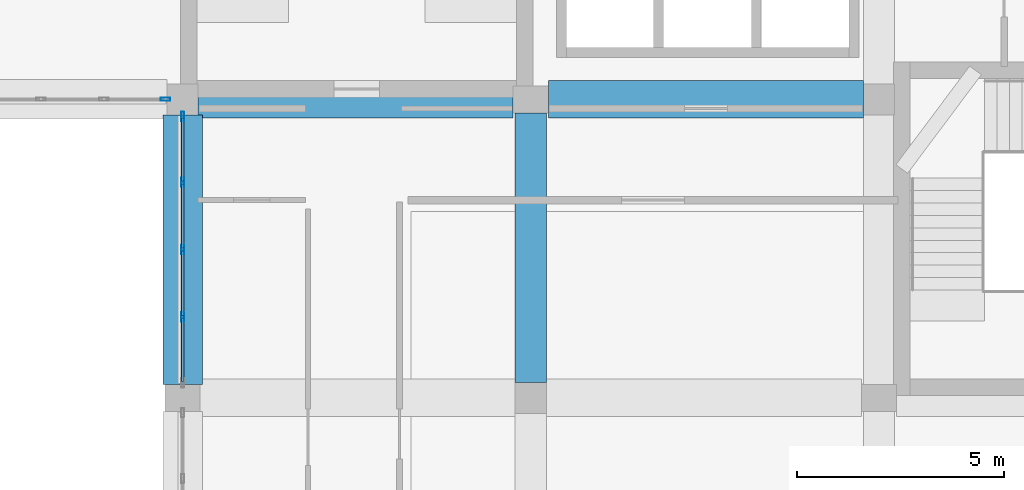
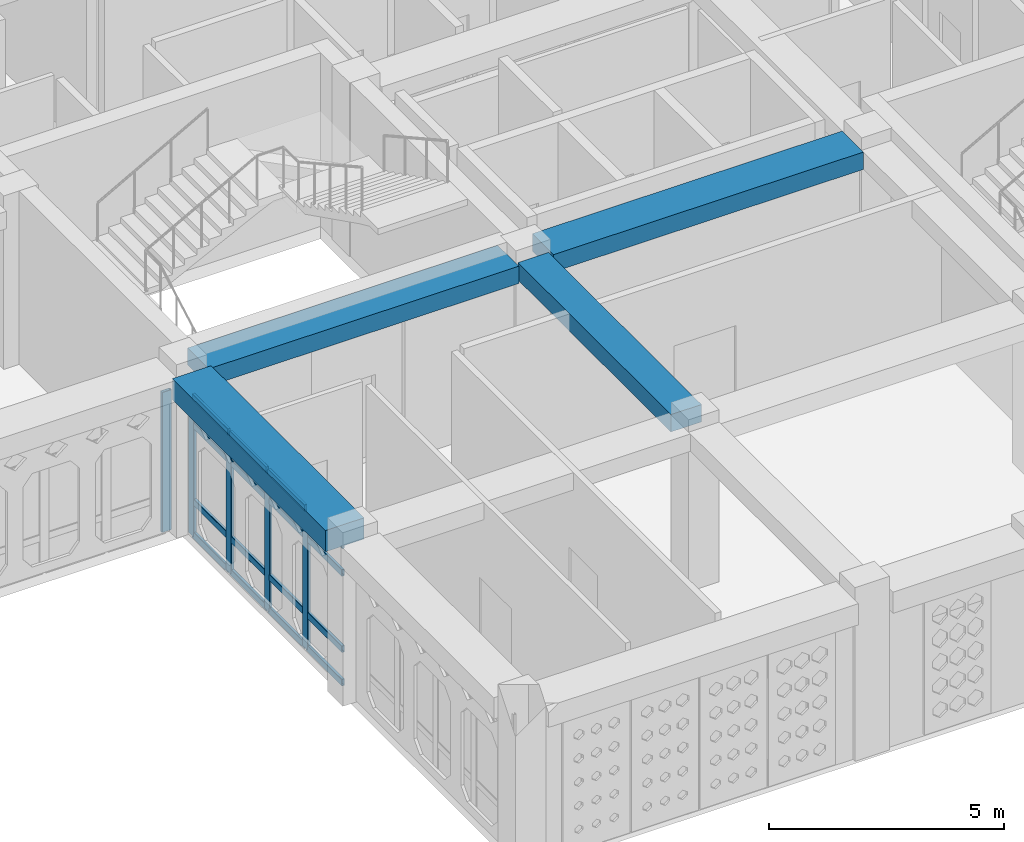
# One storey, part 5 of 121: 21 members, 4 beams, 2 elements without a shape of their own.
"""IFC4 building model written with IfcOpenShell, lengths in metres."""

from ifc_helpers import new_model, si_unit, derived_unit, direction, frame, origin, origin_2d, place, context, subcontext, project, spatial, rectangle, hollow_rectangle, extrude, material, material_profile, profile_set, type_object, element, aggregate, save


model = new_model("IFC4")

# Units and contexts
model_context = context("Model", 3, precision=1e-05, world=origin(), true_north=direction((0.0, 1.0)))
body_context = subcontext(model_context, "Body", "Model", "MODEL_VIEW")
ifc_project = project(units=[si_unit("LENGTHUNIT", "METRE"), si_unit("AREAUNIT", "SQUARE_METRE"), si_unit("VOLUMEUNIT", "CUBIC_METRE"), si_unit("PLANEANGLEUNIT", "RADIAN"), si_unit("MASSUNIT", "GRAM", prefix="KILO"), derived_unit("THERMALTRANSMITTANCEUNIT", [(si_unit("POWERUNIT", "WATT"), 1), (si_unit("LENGTHUNIT", "METRE"), -2), (si_unit("THERMODYNAMICTEMPERATUREUNIT", "KELVIN"), -1)])], contexts=[model_context])

# Site, building, storey
site_placement = place(None, origin())
site = spatial("IfcSite", under=ifc_project, at=site_placement, CompositionType="ELEMENT")
building_placement = place(site_placement, origin())
building = spatial("IfcBuilding", under=site, at=building_placement, Name="Veybourne Emporium", CompositionType="ELEMENT")
storey_placement = place(building_placement, frame((0.0, 0.0, 5.39990234375)))
storey = spatial("IfcBuildingStorey", under=building, at=storey_placement, Name="L01", CompositionType="ELEMENT", Elevation=5.39990234375)

# Curtain wall, members
ifc_material_1 = material(Name="Patinated Architectural Bronze", Category="bronze")
curtain_wall_type_1 = type_object("IfcCurtainWallType", Name="CWSystem_CWS-01", PredefinedType="NOTDEFINED", material=ifc_material_1)
curtain_wall_1_placement = place(storey_placement, origin())
curtain_wall_1 = element("IfcCurtainWall", 1, at=curtain_wall_1_placement, inside=storey, type_object=curtain_wall_type_1, Name="L01 bronze glazed curtain wall CWS-01 (016)", PredefinedType="NOTDEFINED")
ifc_material_profile_1 = material_profile(ifc_material_1, hollow_rectangle(XDim=0.072021484375, YDim=0.22509765625, WallThickness=0.0048828125, InnerFilletRadius=0.007568359375, OuterFilletRadius=0.012451171875, at=origin_2d()), Name="CWM 72x225x5")
ifc_profile_set_1 = profile_set([ifc_material_profile_1], Name="Patinated Architectural Bronze")
member_type_1 = type_object("IfcMemberType", Name="CWMullion_CW-M1", PredefinedType="MULLION", material=ifc_profile_set_1)
member_1_placement = place(storey_placement, frame((16.800048828125, 9.14990234375, 0.0), z_axis=(0.0, 0.0, 1.0), x_axis=(-1.0, 0.0, 0.0)))
member_1 = element("IfcMember", 2, at=member_1_placement, type_object=member_type_1, Name="CWS-01 mullion 2", PredefinedType="MULLION", context=body_context, shape_type="SweptSolid", body=[
    extrude(hollow_rectangle(XDim=0.072021484375, YDim=0.22509765625, WallThickness=0.0048828125, InnerFilletRadius=0.007568359375, OuterFilletRadius=0.012451171875, at=origin_2d()), origin(), (0.0, 0.0, 1.0), 3.630126953125),
])
member_2_placement = place(storey_placement, frame((16.800048828125, 10.77490234375, 0.0), z_axis=(0.0, 0.0, 1.0), x_axis=(-1.0, 0.0, 0.0)))
member_2 = element("IfcMember", 3, at=member_2_placement, type_object=member_type_1, Name="CWS-01 mullion 3", PredefinedType="MULLION", context=body_context, shape_type="SweptSolid", body=[
    extrude(hollow_rectangle(XDim=0.072021484375, YDim=0.22509765625, WallThickness=0.0048828125, InnerFilletRadius=0.007568359375, OuterFilletRadius=0.012451171875, at=origin_2d()), origin(), (0.0, 0.0, 1.0), 3.630126953125),
])
member_3_placement = place(storey_placement, frame((16.800048828125, 12.39990234375, 0.0), z_axis=(0.0, 0.0, 1.0), x_axis=(-1.0, 0.0, 0.0)))
member_3 = element("IfcMember", 4, at=member_3_placement, type_object=member_type_1, Name="CWS-01 mullion 4", PredefinedType="MULLION", context=body_context, shape_type="SweptSolid", body=[
    extrude(hollow_rectangle(XDim=0.072021484375, YDim=0.22509765625, WallThickness=0.0048828125, InnerFilletRadius=0.007568359375, OuterFilletRadius=0.012451171875, at=origin_2d()), origin(), (0.0, 0.0, 1.0), 3.630126953125),
])
member_4_placement = place(storey_placement, frame((16.800048828125, 13.989013671875, 0.0), z_axis=(0.0, 0.0, 1.0), x_axis=(-1.0, 0.0, 0.0)))
member_4 = element("IfcMember", 5, at=member_4_placement, type_object=member_type_1, Name="CWS-01 mullion 5", PredefinedType="MULLION", context=body_context, shape_type="SweptSolid", body=[
    extrude(hollow_rectangle(XDim=0.072021484375, YDim=0.22509765625, WallThickness=0.0048828125, InnerFilletRadius=0.007568359375, OuterFilletRadius=0.012451171875, at=origin_2d()), origin(), (0.0, 0.0, 1.0), 3.630126953125),
])

# Curtain wall, member
curtain_wall_type_2 = type_object("IfcCurtainWallType", Name="CWSystem_CWS-27", PredefinedType="NOTDEFINED", material=ifc_material_1)
curtain_wall_2_placement = place(storey_placement, origin())
curtain_wall_2 = element("IfcCurtainWall", 6, at=curtain_wall_2_placement, inside=storey, type_object=curtain_wall_type_2, Name="L01 bronze glazed curtain wall CWS-27 (012)", PredefinedType="NOTDEFINED")
ifc_material_profile_2 = material_profile(ifc_material_1, hollow_rectangle(XDim=0.077880859375, YDim=0.235107421875, WallThickness=0.0048828125, InnerFilletRadius=0.007568359375, OuterFilletRadius=0.012451171875, at=origin_2d()), Name="CWM 78x235x5")
ifc_profile_set_2 = profile_set([ifc_material_profile_2], Name="Patinated Architectural Bronze")
member_type_2 = type_object("IfcMemberType", Name="CWMullion_CW-M3", PredefinedType="MULLION", material=ifc_profile_set_2)
member_5_placement = place(storey_placement, frame((16.385986328125, 14.39990234375, 0.0), z_axis=(0.0, 0.0, 1.0), x_axis=(0.0, -1.0, 0.0)))
member_5 = element("IfcMember", 7, at=member_5_placement, type_object=member_type_2, Name="CWS-27 mullion 1", PredefinedType="MULLION", context=body_context, shape_type="SweptSolid", body=[
    extrude(hollow_rectangle(XDim=0.077880859375, YDim=0.235107421875, WallThickness=0.0048828125, InnerFilletRadius=0.007568359375, OuterFilletRadius=0.012451171875, at=origin_2d()), origin(), (0.0, 0.0, 1.0), 3.630126953125),
])
aggregate(curtain_wall_2, [member_5])

# Member
ifc_material_profile_3 = material_profile(ifc_material_1, hollow_rectangle(XDim=0.072021484375, YDim=0.175048828125, WallThickness=0.0048828125, InnerFilletRadius=0.007568359375, OuterFilletRadius=0.012451171875, at=origin_2d()), Name="CWT 72x175x5")
ifc_profile_set_3 = profile_set([ifc_material_profile_3], Name="Patinated Architectural Bronze")
member_type_3 = type_object("IfcMemberType", Name="CWTransom_CW-T1", PredefinedType="NOTDEFINED", material=ifc_profile_set_3)
member_6_placement = place(storey_placement, frame((16.800048828125, 7.596923828125, 0.0361328125), z_axis=(0.0, 1.0, 0.0), x_axis=(-1.0, 0.0, 0.0)))
member_6 = element("IfcMember", 8, at=member_6_placement, type_object=member_type_3, Name="CWS-01 transom 1.1", ObjectType="TRANSOM", PredefinedType="USERDEFINED", context=body_context, shape_type="SweptSolid", body=[
    extrude(hollow_rectangle(XDim=0.072021484375, YDim=0.175048828125, WallThickness=0.0048828125, InnerFilletRadius=0.007568359375, OuterFilletRadius=0.012451171875, at=origin_2d()), origin(), (0.0, 0.0, 1.0), 1.51708984375),
])

member_7_placement = place(storey_placement, frame((16.800048828125, 7.596923828125, 0.900146484375), z_axis=(0.0, 1.0, 0.0), x_axis=(-1.0, 0.0, 0.0)))
member_7 = element("IfcMember", 9, at=member_7_placement, type_object=member_type_3, Name="CWS-01 transom 1.2", ObjectType="TRANSOM", PredefinedType="USERDEFINED", context=body_context, shape_type="SweptSolid", body=[
    extrude(hollow_rectangle(XDim=0.072021484375, YDim=0.175048828125, WallThickness=0.0048828125, InnerFilletRadius=0.007568359375, OuterFilletRadius=0.012451171875, at=origin_2d()), origin(), (0.0, 0.0, 1.0), 1.51708984375),
])

member_8_placement = place(storey_placement, frame((16.800048828125, 7.596923828125, 2.880126953125), z_axis=(0.0, 1.0, 0.0), x_axis=(-1.0, 0.0, 0.0)))
member_8 = element("IfcMember", 10, at=member_8_placement, type_object=member_type_3, Name="CWS-01 transom 1.3", ObjectType="TRANSOM", PredefinedType="USERDEFINED", context=body_context, shape_type="SweptSolid", body=[
    extrude(hollow_rectangle(XDim=0.072021484375, YDim=0.175048828125, WallThickness=0.0048828125, InnerFilletRadius=0.007568359375, OuterFilletRadius=0.012451171875, at=origin_2d()), origin(), (0.0, 0.0, 1.0), 1.51708984375),
])

member_9_placement = place(storey_placement, frame((16.800048828125, 7.596923828125, 3.593994140625), z_axis=(0.0, 1.0, 0.0), x_axis=(-1.0, 0.0, 0.0)))
member_9 = element("IfcMember", 11, at=member_9_placement, type_object=member_type_3, Name="CWS-01 transom 1.4", ObjectType="TRANSOM", PredefinedType="USERDEFINED", context=body_context, shape_type="SweptSolid", body=[
    extrude(hollow_rectangle(XDim=0.072021484375, YDim=0.175048828125, WallThickness=0.0048828125, InnerFilletRadius=0.007568359375, OuterFilletRadius=0.012451171875, at=origin_2d()), origin(), (0.0, 0.0, 1.0), 1.51708984375),
])

member_10_placement = place(storey_placement, frame((16.800048828125, 9.18603515625, 0.0361328125), z_axis=(0.0, 1.0, 0.0), x_axis=(-1.0, 0.0, 0.0)))
member_10 = element("IfcMember", 12, at=member_10_placement, type_object=member_type_3, Name="CWS-01 transom 2.1", ObjectType="TRANSOM", PredefinedType="USERDEFINED", context=body_context, shape_type="SweptSolid", body=[
    extrude(hollow_rectangle(XDim=0.072021484375, YDim=0.175048828125, WallThickness=0.0048828125, InnerFilletRadius=0.007568359375, OuterFilletRadius=0.012451171875, at=origin_2d()), origin(), (0.0, 0.0, 1.0), 1.552978515625),
])

member_11_placement = place(storey_placement, frame((16.800048828125, 9.18603515625, 0.900146484375), z_axis=(0.0, 1.0, 0.0), x_axis=(-1.0, 0.0, 0.0)))
member_11 = element("IfcMember", 13, at=member_11_placement, type_object=member_type_3, Name="CWS-01 transom 2.2", ObjectType="TRANSOM", PredefinedType="USERDEFINED", context=body_context, shape_type="SweptSolid", body=[
    extrude(hollow_rectangle(XDim=0.072021484375, YDim=0.175048828125, WallThickness=0.0048828125, InnerFilletRadius=0.007568359375, OuterFilletRadius=0.012451171875, at=origin_2d()), origin(), (0.0, 0.0, 1.0), 1.552978515625),
])

member_12_placement = place(storey_placement, frame((16.800048828125, 9.18603515625, 2.880126953125), z_axis=(0.0, 1.0, 0.0), x_axis=(-1.0, 0.0, 0.0)))
member_12 = element("IfcMember", 14, at=member_12_placement, type_object=member_type_3, Name="CWS-01 transom 2.3", ObjectType="TRANSOM", PredefinedType="USERDEFINED", context=body_context, shape_type="SweptSolid", body=[
    extrude(hollow_rectangle(XDim=0.072021484375, YDim=0.175048828125, WallThickness=0.0048828125, InnerFilletRadius=0.007568359375, OuterFilletRadius=0.012451171875, at=origin_2d()), origin(), (0.0, 0.0, 1.0), 1.552978515625),
])

member_13_placement = place(storey_placement, frame((16.800048828125, 9.18603515625, 3.593994140625), z_axis=(0.0, 1.0, 0.0), x_axis=(-1.0, 0.0, 0.0)))
member_13 = element("IfcMember", 15, at=member_13_placement, type_object=member_type_3, Name="CWS-01 transom 2.4", ObjectType="TRANSOM", PredefinedType="USERDEFINED", context=body_context, shape_type="SweptSolid", body=[
    extrude(hollow_rectangle(XDim=0.072021484375, YDim=0.175048828125, WallThickness=0.0048828125, InnerFilletRadius=0.007568359375, OuterFilletRadius=0.012451171875, at=origin_2d()), origin(), (0.0, 0.0, 1.0), 1.552978515625),
])

member_14_placement = place(storey_placement, frame((16.800048828125, 10.81103515625, 0.0361328125), z_axis=(0.0, 1.0, 0.0), x_axis=(-1.0, 0.0, 0.0)))
member_14 = element("IfcMember", 16, at=member_14_placement, type_object=member_type_3, Name="CWS-01 transom 3.1", ObjectType="TRANSOM", PredefinedType="USERDEFINED", context=body_context, shape_type="SweptSolid", body=[
    extrude(hollow_rectangle(XDim=0.072021484375, YDim=0.175048828125, WallThickness=0.0048828125, InnerFilletRadius=0.007568359375, OuterFilletRadius=0.012451171875, at=origin_2d()), origin(), (0.0, 0.0, 1.0), 1.552978515625),
])

member_15_placement = place(storey_placement, frame((16.800048828125, 10.81103515625, 0.900146484375), z_axis=(0.0, 1.0, 0.0), x_axis=(-1.0, 0.0, 0.0)))
member_15 = element("IfcMember", 17, at=member_15_placement, type_object=member_type_3, Name="CWS-01 transom 3.2", ObjectType="TRANSOM", PredefinedType="USERDEFINED", context=body_context, shape_type="SweptSolid", body=[
    extrude(hollow_rectangle(XDim=0.072021484375, YDim=0.175048828125, WallThickness=0.0048828125, InnerFilletRadius=0.007568359375, OuterFilletRadius=0.012451171875, at=origin_2d()), origin(), (0.0, 0.0, 1.0), 1.552978515625),
])

member_16_placement = place(storey_placement, frame((16.800048828125, 10.81103515625, 2.880126953125), z_axis=(0.0, 1.0, 0.0), x_axis=(-1.0, 0.0, 0.0)))
member_16 = element("IfcMember", 18, at=member_16_placement, type_object=member_type_3, Name="CWS-01 transom 3.3", ObjectType="TRANSOM", PredefinedType="USERDEFINED", context=body_context, shape_type="SweptSolid", body=[
    extrude(hollow_rectangle(XDim=0.072021484375, YDim=0.175048828125, WallThickness=0.0048828125, InnerFilletRadius=0.007568359375, OuterFilletRadius=0.012451171875, at=origin_2d()), origin(), (0.0, 0.0, 1.0), 1.552978515625),
])

member_17_placement = place(storey_placement, frame((16.800048828125, 10.81103515625, 3.593994140625), z_axis=(0.0, 1.0, 0.0), x_axis=(-1.0, 0.0, 0.0)))
member_17 = element("IfcMember", 19, at=member_17_placement, type_object=member_type_3, Name="CWS-01 transom 3.4", ObjectType="TRANSOM", PredefinedType="USERDEFINED", context=body_context, shape_type="SweptSolid", body=[
    extrude(hollow_rectangle(XDim=0.072021484375, YDim=0.175048828125, WallThickness=0.0048828125, InnerFilletRadius=0.007568359375, OuterFilletRadius=0.012451171875, at=origin_2d()), origin(), (0.0, 0.0, 1.0), 1.552978515625),
])

member_18_placement = place(storey_placement, frame((16.800048828125, 12.43603515625, 0.0361328125), z_axis=(0.0, 1.0, 0.0), x_axis=(-1.0, 0.0, 0.0)))
member_18 = element("IfcMember", 20, at=member_18_placement, type_object=member_type_3, Name="CWS-01 transom 4.1", ObjectType="TRANSOM", PredefinedType="USERDEFINED", context=body_context, shape_type="SweptSolid", body=[
    extrude(hollow_rectangle(XDim=0.072021484375, YDim=0.175048828125, WallThickness=0.0048828125, InnerFilletRadius=0.007568359375, OuterFilletRadius=0.012451171875, at=origin_2d()), origin(), (0.0, 0.0, 1.0), 1.516845703125),
])

member_19_placement = place(storey_placement, frame((16.800048828125, 12.43603515625, 0.900146484375), z_axis=(0.0, 1.0, 0.0), x_axis=(-1.0, 0.0, 0.0)))
member_19 = element("IfcMember", 21, at=member_19_placement, type_object=member_type_3, Name="CWS-01 transom 4.2", ObjectType="TRANSOM", PredefinedType="USERDEFINED", context=body_context, shape_type="SweptSolid", body=[
    extrude(hollow_rectangle(XDim=0.072021484375, YDim=0.175048828125, WallThickness=0.0048828125, InnerFilletRadius=0.007568359375, OuterFilletRadius=0.012451171875, at=origin_2d()), origin(), (0.0, 0.0, 1.0), 1.516845703125),
])

member_20_placement = place(storey_placement, frame((16.800048828125, 12.43603515625, 2.880126953125), z_axis=(0.0, 1.0, 0.0), x_axis=(-1.0, 0.0, 0.0)))
member_20 = element("IfcMember", 22, at=member_20_placement, type_object=member_type_3, Name="CWS-01 transom 4.3", ObjectType="TRANSOM", PredefinedType="USERDEFINED", context=body_context, shape_type="SweptSolid", body=[
    extrude(hollow_rectangle(XDim=0.072021484375, YDim=0.175048828125, WallThickness=0.0048828125, InnerFilletRadius=0.007568359375, OuterFilletRadius=0.012451171875, at=origin_2d()), origin(), (0.0, 0.0, 1.0), 1.516845703125),
])

member_21_placement = place(storey_placement, frame((16.800048828125, 12.43603515625, 3.593994140625), z_axis=(0.0, 1.0, 0.0), x_axis=(-1.0, 0.0, 0.0)))
member_21 = element("IfcMember", 23, at=member_21_placement, type_object=member_type_3, Name="CWS-01 transom 4.4", ObjectType="TRANSOM", PredefinedType="USERDEFINED", context=body_context, shape_type="SweptSolid", body=[
    extrude(hollow_rectangle(XDim=0.072021484375, YDim=0.175048828125, WallThickness=0.0048828125, InnerFilletRadius=0.007568359375, OuterFilletRadius=0.012451171875, at=origin_2d()), origin(), (0.0, 0.0, 1.0), 1.516845703125),
])

aggregate(curtain_wall_1, [member_1, member_2, member_3, member_4, member_6, member_7, member_8, member_9, member_10, member_11, member_12, member_13, member_14, member_15, member_16, member_17, member_18, member_19, member_20, member_21])

# Beams
ifc_material_2 = material(Name="Concrete C32/40", Category="concrete")
ifc_material_profile_4 = material_profile(ifc_material_2, rectangle(XDim=0.89990234375, YDim=0.449951171875, at=origin_2d()), Name="RC 900x450")
ifc_profile_set_4 = profile_set([ifc_material_profile_4], Name="Concrete C32/40")
beam_type_1 = type_object("IfcBeamType", Name="RCBeam_BB-03", PredefinedType="BEAM", material=ifc_profile_set_4)
beam_1_placement = place(storey_placement, frame((17.175048828125, 14.39990234375, 3.955078125), z_axis=(1.0, 0.0, 0.0), x_axis=(0.0, 1.0, 0.0)))
element("IfcBeam", 24, at=beam_1_placement, inside=storey, type_object=beam_type_1, Name="L01 X-grid beam BB-03 (2,2)", PredefinedType="BEAM", context=body_context, shape_type="SweptSolid", body=[
    extrude(rectangle(XDim=0.89990234375, YDim=0.449951171875, at=origin_2d()), origin(), (0.0, 0.0, 1.0), 7.599853515625),
])
beam_2_placement = place(storey_placement, frame((25.625, 14.39990234375, 3.955078125), z_axis=(1.0, 0.0, 0.0), x_axis=(0.0, 1.0, 0.0)))
element("IfcBeam", 25, at=beam_2_placement, inside=storey, type_object=beam_type_1, Name="L01 X-grid beam BB-03 (3,2)", PredefinedType="BEAM", context=body_context, shape_type="SweptSolid", body=[
    extrude(rectangle(XDim=0.89990234375, YDim=0.449951171875, at=origin_2d()), origin(), (0.0, 0.0, 1.0), 7.60009765625),
])
ifc_material_profile_5 = material_profile(ifc_material_2, rectangle(XDim=0.75, YDim=0.449951171875, at=origin_2d()), Name="RC 750x450")
ifc_profile_set_5 = profile_set([ifc_material_profile_5], Name="Concrete C32/40")
beam_type_2 = type_object("IfcBeamType", Name="RCBeam_BB-04", PredefinedType="BEAM", material=ifc_profile_set_5)
beam_3_placement = place(storey_placement, frame((25.199951171875, 7.574951171875, 3.955078125), z_axis=(0.0, 1.0, 0.0), x_axis=(-1.0, 0.0, 0.0)))
element("IfcBeam", 26, at=beam_3_placement, inside=storey, type_object=beam_type_2, Name="L01 Y-grid beam BB-04 (3,1)", PredefinedType="BEAM", context=body_context, shape_type="SweptSolid", body=[
    extrude(rectangle(XDim=0.75, YDim=0.449951171875, at=origin_2d()), origin(), (0.0, 0.0, 1.0), 6.5),
])
ifc_material_profile_6 = material_profile(ifc_material_2, rectangle(XDim=0.949951171875, YDim=0.550048828125, at=origin_2d()), Name="RC 950x550")
ifc_profile_set_6 = profile_set([ifc_material_profile_6], Name="Concrete C32/40")
beam_type_3 = type_object("IfcBeamType", Name="RCBeam_EB-01", PredefinedType="SPANDREL", material=ifc_profile_set_6)
beam_4_placement = place(storey_placement, frame((16.800048828125, 7.52490234375, 3.905029296875), z_axis=(0.0, 1.0, 0.0), x_axis=(-1.0, 0.0, 0.0)))
element("IfcBeam", 27, at=beam_4_placement, inside=storey, type_object=beam_type_3, Name="L01 Y-grid beam EB-01 (2,1)", PredefinedType="SPANDREL", context=body_context, shape_type="SweptSolid", body=[
    extrude(rectangle(XDim=0.949951171875, YDim=0.550048828125, at=origin_2d()), origin(), (0.0, 0.0, 1.0), 6.5),
])

save(model, "model.ifc")
